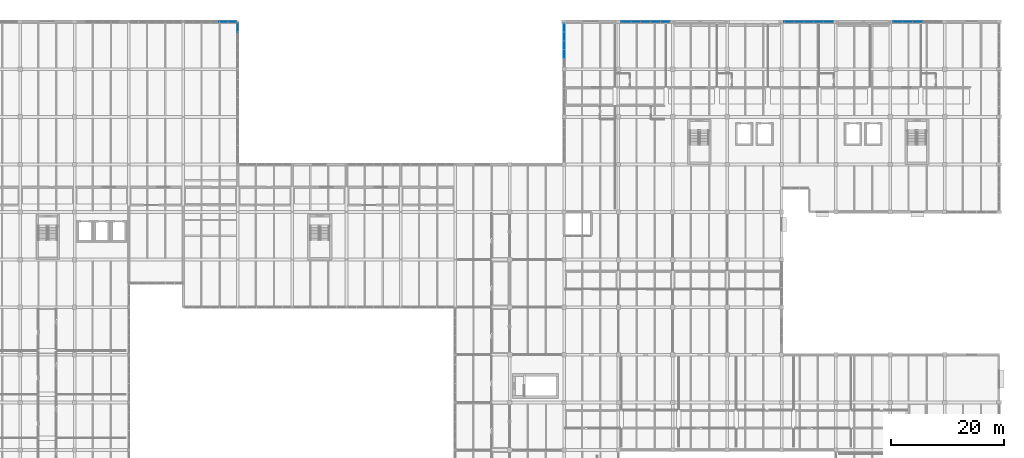
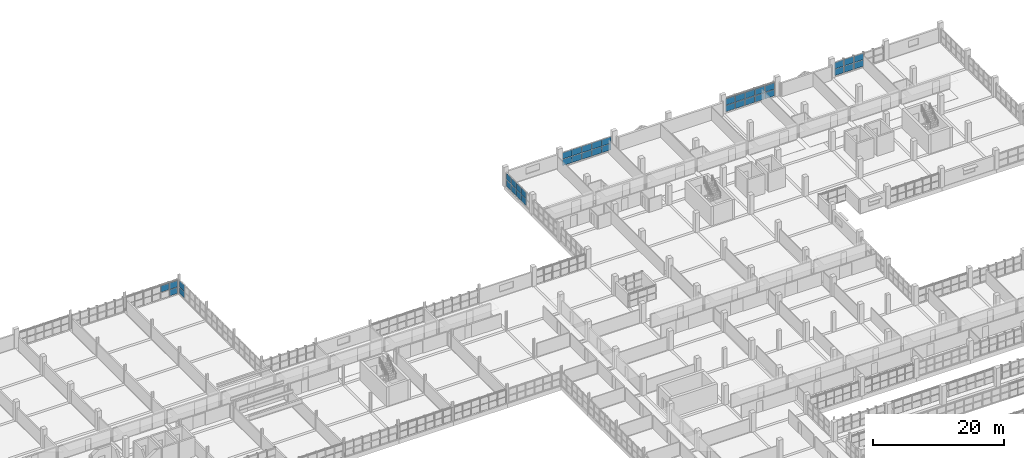
# One storey, part 109 of 147: 39 plates, 6 elements without a shape of their own.
"""IFC4 building model written with IfcOpenShell, lengths in metres."""

from ifc_helpers import new_model, si_unit, direction, frame, origin, origin_2d, place, context, subcontext, project, spatial, rectangle, extrude, material, layer, layer_set, type_object, element, aggregate, save


model = new_model("IFC4")

# Units and contexts
model_context = context("Model", 3, precision=1e-05, world=origin(), true_north=direction((0.0, 1.0)))
body_context = subcontext(model_context, "Body", "Model", "MODEL_VIEW")
ifc_project = project(units=[si_unit("LENGTHUNIT", "METRE"), si_unit("AREAUNIT", "SQUARE_METRE"), si_unit("VOLUMEUNIT", "CUBIC_METRE"), si_unit("PLANEANGLEUNIT", "RADIAN"), si_unit("MASSUNIT", "GRAM", prefix="KILO")], contexts=[model_context])

# Site, building, storey
site_placement = place(None, origin())
site = spatial("IfcSite", under=ifc_project, at=site_placement, CompositionType="ELEMENT")
building_placement = place(site_placement, origin())
building = spatial("IfcBuilding", under=site, at=building_placement, Name="Oolite Switchyard Hospital", CompositionType="ELEMENT")
storey_placement = place(building_placement, frame((0.0, 0.0, 9.89990234375)))
storey = spatial("IfcBuildingStorey", under=building, at=storey_placement, Name="L02", CompositionType="ELEMENT", Elevation=9.89990234375)

# Curtain wall, plates
ifc_material_1 = material(Name="Thermally broken aluminum frame with laminated impact glazing", Category="aluminium")
curtain_wall_type_1 = type_object("IfcCurtainWallType", Name="CW-UNIT-96X36", PredefinedType="USERDEFINED", material=ifc_material_1)
curtain_wall_1_placement = place(storey_placement, origin())
curtain_wall_1 = element("IfcCurtainWall", 1, at=curtain_wall_1_placement, inside=storey, type_object=curtain_wall_type_1, Name="L02 Unitised Curtain Wall 272", ObjectType="UNITISED", PredefinedType="USERDEFINED")
ifc_material_2 = material(Name="Insulated fluoropolymer-coated aluminum spandrel panel", Category="aluminium")
ifc_layer_1 = layer(ifc_material_2, 0.054931640625)
ifc_layer_set_1 = layer_set([ifc_layer_1], Name="CW-PNL-SPN55")
plate_type_1 = type_object("IfcPlateType", Name="CW-PNL-SPN55", PredefinedType="CURTAIN_PANEL", material=ifc_layer_set_1)
plate_1_placement = place(storey_placement, frame((74.303466796875, 134.39990234375, 1.31494140625), z_axis=(0.0, 0.0, 1.0), x_axis=(1.0, 0.0, 0.0)))
plate_1 = element("IfcPlate", 2, at=plate_1_placement, type_object=plate_type_1, Name="CW-03 panel 5.2", PredefinedType="CURTAIN_PANEL", context=body_context, shape_type="SweptSolid", body=[
    extrude(rectangle(XDim=1.465576171875, YDim=0.054931640625, at=origin_2d()), origin(), (0.0, 0.0, 1.0), 1.195068359375),
])
plate_2_placement = place(storey_placement, frame((75.82177734375, 134.39990234375, 0.06005859375), z_axis=(0.0, 0.0, 1.0), x_axis=(1.0, 0.0, 0.0)))
plate_2 = element("IfcPlate", 3, at=plate_2_placement, type_object=plate_type_1, Name="CW-03 panel 6.1", PredefinedType="CURTAIN_PANEL", context=body_context, shape_type="SweptSolid", body=[
    extrude(rectangle(XDim=1.4306640625, YDim=0.054931640625, at=origin_2d()), origin(), (0.0, 0.0, 1.0), 1.195068359375),
])
plate_3_placement = place(storey_placement, frame((75.82177734375, 134.39990234375, 1.31494140625), z_axis=(0.0, 0.0, 1.0), x_axis=(1.0, 0.0, 0.0)))
plate_3 = element("IfcPlate", 4, at=plate_3_placement, type_object=plate_type_1, Name="CW-03 panel 6.2", PredefinedType="CURTAIN_PANEL", context=body_context, shape_type="SweptSolid", body=[
    extrude(rectangle(XDim=1.4306640625, YDim=0.054931640625, at=origin_2d()), origin(), (0.0, 0.0, 1.0), 1.195068359375),
])
aggregate(curtain_wall_1, [plate_1, plate_2, plate_3])

curtain_wall_2_placement = place(storey_placement, origin())
curtain_wall_2 = element("IfcCurtainWall", 5, at=curtain_wall_2_placement, inside=storey, type_object=curtain_wall_type_1, Name="L02 Unitised Curtain Wall 274", ObjectType="UNITISED", PredefinedType="USERDEFINED")
plate_4_placement = place(storey_placement, frame((174.126953125, 134.39990234375, 0.06005859375), z_axis=(0.0, 0.0, 1.0), x_axis=(1.0, 0.0, 0.0)))
plate_4 = element("IfcPlate", 6, at=plate_4_placement, type_object=plate_type_1, Name="CW-03 panel 1.1", PredefinedType="CURTAIN_PANEL", context=body_context, shape_type="SweptSolid", body=[
    extrude(rectangle(XDim=1.654052734375, YDim=0.054931640625, at=origin_2d()), origin(), (0.0, 0.0, 1.0), 1.195068359375),
])
plate_5_placement = place(storey_placement, frame((174.126953125, 134.39990234375, 1.31494140625), z_axis=(0.0, 0.0, 1.0), x_axis=(1.0, 0.0, 0.0)))
plate_5 = element("IfcPlate", 7, at=plate_5_placement, type_object=plate_type_1, Name="CW-03 panel 1.2", PredefinedType="CURTAIN_PANEL", context=body_context, shape_type="SweptSolid", body=[
    extrude(rectangle(XDim=1.654052734375, YDim=0.054931640625, at=origin_2d()), origin(), (0.0, 0.0, 1.0), 1.195068359375),
])
plate_6_placement = place(storey_placement, frame((175.85595703125, 134.39990234375, 0.06005859375), z_axis=(0.0, 0.0, 1.0), x_axis=(1.0, 0.0, 0.0)))
plate_6 = element("IfcPlate", 8, at=plate_6_placement, type_object=plate_type_1, Name="CW-03 panel 2.1", PredefinedType="CURTAIN_PANEL", context=body_context, shape_type="SweptSolid", body=[
    extrude(rectangle(XDim=1.68408203125, YDim=0.054931640625, at=origin_2d()), origin(), (0.0, 0.0, 1.0), 1.195068359375),
])
plate_7_placement = place(storey_placement, frame((175.85595703125, 134.39990234375, 1.31494140625), z_axis=(0.0, 0.0, 1.0), x_axis=(1.0, 0.0, 0.0)))
plate_7 = element("IfcPlate", 9, at=plate_7_placement, type_object=plate_type_1, Name="CW-03 panel 2.2", PredefinedType="CURTAIN_PANEL", context=body_context, shape_type="SweptSolid", body=[
    extrude(rectangle(XDim=1.68408203125, YDim=0.054931640625, at=origin_2d()), origin(), (0.0, 0.0, 1.0), 1.195068359375),
])
plate_8_placement = place(storey_placement, frame((177.60009765625, 134.39990234375, 0.06005859375), z_axis=(0.0, 0.0, 1.0), x_axis=(1.0, 0.0, 0.0)))
plate_8 = element("IfcPlate", 10, at=plate_8_placement, type_object=plate_type_1, Name="CW-03 panel 3.1", PredefinedType="CURTAIN_PANEL", context=body_context, shape_type="SweptSolid", body=[
    extrude(rectangle(XDim=1.68408203125, YDim=0.054931640625, at=origin_2d()), origin(), (0.0, 0.0, 1.0), 1.195068359375),
])
plate_9_placement = place(storey_placement, frame((177.60009765625, 134.39990234375, 1.31494140625), z_axis=(0.0, 0.0, 1.0), x_axis=(1.0, 0.0, 0.0)))
plate_9 = element("IfcPlate", 11, at=plate_9_placement, type_object=plate_type_1, Name="CW-03 panel 3.2", PredefinedType="CURTAIN_PANEL", context=body_context, shape_type="SweptSolid", body=[
    extrude(rectangle(XDim=1.68408203125, YDim=0.054931640625, at=origin_2d()), origin(), (0.0, 0.0, 1.0), 1.195068359375),
])
plate_10_placement = place(storey_placement, frame((179.343994140625, 134.39990234375, 0.06005859375), z_axis=(0.0, 0.0, 1.0), x_axis=(1.0, 0.0, 0.0)))
plate_10 = element("IfcPlate", 12, at=plate_10_placement, type_object=plate_type_1, Name="CW-03 panel 4.1", PredefinedType="CURTAIN_PANEL", context=body_context, shape_type="SweptSolid", body=[
    extrude(rectangle(XDim=1.68408203125, YDim=0.054931640625, at=origin_2d()), origin(), (0.0, 0.0, 1.0), 1.195068359375),
])
plate_11_placement = place(storey_placement, frame((179.343994140625, 134.39990234375, 1.31494140625), z_axis=(0.0, 0.0, 1.0), x_axis=(1.0, 0.0, 0.0)))
plate_11 = element("IfcPlate", 13, at=plate_11_placement, type_object=plate_type_1, Name="CW-03 panel 4.2", PredefinedType="CURTAIN_PANEL", context=body_context, shape_type="SweptSolid", body=[
    extrude(rectangle(XDim=1.68408203125, YDim=0.054931640625, at=origin_2d()), origin(), (0.0, 0.0, 1.0), 1.195068359375),
])
plate_12_placement = place(storey_placement, frame((181.072998046875, 134.39990234375, 0.06005859375), z_axis=(0.0, 0.0, 1.0), x_axis=(1.0, 0.0, 0.0)))
plate_12 = element("IfcPlate", 14, at=plate_12_placement, type_object=plate_type_1, Name="CW-03 panel 5.1", PredefinedType="CURTAIN_PANEL", context=body_context, shape_type="SweptSolid", body=[
    extrude(rectangle(XDim=1.654052734375, YDim=0.054931640625, at=origin_2d()), origin(), (0.0, 0.0, 1.0), 1.195068359375),
])
plate_13_placement = place(storey_placement, frame((181.072998046875, 134.39990234375, 1.31494140625), z_axis=(0.0, 0.0, 1.0), x_axis=(1.0, 0.0, 0.0)))
plate_13 = element("IfcPlate", 15, at=plate_13_placement, type_object=plate_type_1, Name="CW-03 panel 5.2", PredefinedType="CURTAIN_PANEL", context=body_context, shape_type="SweptSolid", body=[
    extrude(rectangle(XDim=1.654052734375, YDim=0.054931640625, at=origin_2d()), origin(), (0.0, 0.0, 1.0), 1.195068359375),
])
aggregate(curtain_wall_2, [plate_4, plate_5, plate_6, plate_7, plate_8, plate_9, plate_10, plate_11, plate_12, plate_13])

curtain_wall_3_placement = place(storey_placement, origin())
curtain_wall_3 = element("IfcCurtainWall", 16, at=curtain_wall_3_placement, inside=storey, type_object=curtain_wall_type_1, Name="L02 Unitised Curtain Wall 273", ObjectType="UNITISED", PredefinedType="USERDEFINED")
ifc_material_3 = material(Name="Laminated hurricane-impact insulated glazing unit", Category="glass")
ifc_layer_2 = layer(ifc_material_3, 0.031982421875)
ifc_layer_set_2 = layer_set([ifc_layer_2], Name="CW-PNL-VIS32")
plate_type_2 = type_object("IfcPlateType", Name="CW-PNL-VIS32", PredefinedType="CURTAIN_PANEL", material=ifc_layer_set_2)
plate_14_placement = place(storey_placement, frame((145.330810546875, 134.39990234375, 0.0751953125), z_axis=(0.0, 0.0, 1.0), x_axis=(1.0, 0.0, 0.0)))
plate_14 = element("IfcPlate", 17, at=plate_14_placement, type_object=plate_type_2, Name="CW-03 panel 1.1", PredefinedType="CURTAIN_PANEL", context=body_context, shape_type="SweptSolid", body=[
    extrude(rectangle(XDim=1.631591796875, YDim=0.031982421875, at=origin_2d()), origin(), (0.0, 0.0, 1.0), 1.172607421875),
])
plate_15_placement = place(storey_placement, frame((145.330810546875, 134.39990234375, 1.32275390625), z_axis=(0.0, 0.0, 1.0), x_axis=(1.0, 0.0, 0.0)))
plate_15 = element("IfcPlate", 18, at=plate_15_placement, type_object=plate_type_2, Name="CW-03 panel 1.2", PredefinedType="CURTAIN_PANEL", context=body_context, shape_type="SweptSolid", body=[
    extrude(rectangle(XDim=1.631591796875, YDim=0.031982421875, at=origin_2d()), origin(), (0.0, 0.0, 1.0), 1.172607421875),
])
plate_16_placement = place(storey_placement, frame((147.055908203125, 134.39990234375, 0.0751953125), z_axis=(0.0, 0.0, 1.0), x_axis=(1.0, 0.0, 0.0)))
plate_16 = element("IfcPlate", 19, at=plate_16_placement, type_object=plate_type_2, Name="CW-03 panel 2.1", PredefinedType="CURTAIN_PANEL", context=body_context, shape_type="SweptSolid", body=[
    extrude(rectangle(XDim=1.6689453125, YDim=0.031982421875, at=origin_2d()), origin(), (0.0, 0.0, 1.0), 1.172607421875),
])
plate_17_placement = place(storey_placement, frame((147.055908203125, 134.39990234375, 1.32275390625), z_axis=(0.0, 0.0, 1.0), x_axis=(1.0, 0.0, 0.0)))
plate_17 = element("IfcPlate", 20, at=plate_17_placement, type_object=plate_type_2, Name="CW-03 panel 2.2", PredefinedType="CURTAIN_PANEL", context=body_context, shape_type="SweptSolid", body=[
    extrude(rectangle(XDim=1.6689453125, YDim=0.031982421875, at=origin_2d()), origin(), (0.0, 0.0, 1.0), 1.172607421875),
])
plate_18_placement = place(storey_placement, frame((148.800048828125, 134.39990234375, 0.0751953125), z_axis=(0.0, 0.0, 1.0), x_axis=(1.0, 0.0, 0.0)))
plate_18 = element("IfcPlate", 21, at=plate_18_placement, type_object=plate_type_2, Name="CW-03 panel 3.1", PredefinedType="CURTAIN_PANEL", context=body_context, shape_type="SweptSolid", body=[
    extrude(rectangle(XDim=1.6689453125, YDim=0.031982421875, at=origin_2d()), origin(), (0.0, 0.0, 1.0), 1.172607421875),
])
plate_19_placement = place(storey_placement, frame((148.800048828125, 134.39990234375, 1.32275390625), z_axis=(0.0, 0.0, 1.0), x_axis=(1.0, 0.0, 0.0)))
plate_19 = element("IfcPlate", 22, at=plate_19_placement, type_object=plate_type_2, Name="CW-03 panel 3.2", PredefinedType="CURTAIN_PANEL", context=body_context, shape_type="SweptSolid", body=[
    extrude(rectangle(XDim=1.6689453125, YDim=0.031982421875, at=origin_2d()), origin(), (0.0, 0.0, 1.0), 1.172607421875),
])
plate_20_placement = place(storey_placement, frame((150.5439453125, 134.39990234375, 0.0751953125), z_axis=(0.0, 0.0, 1.0), x_axis=(1.0, 0.0, 0.0)))
plate_20 = element("IfcPlate", 23, at=plate_20_placement, type_object=plate_type_2, Name="CW-03 panel 4.1", PredefinedType="CURTAIN_PANEL", context=body_context, shape_type="SweptSolid", body=[
    extrude(rectangle(XDim=1.6689453125, YDim=0.031982421875, at=origin_2d()), origin(), (0.0, 0.0, 1.0), 1.172607421875),
])
plate_21_placement = place(storey_placement, frame((150.5439453125, 134.39990234375, 1.32275390625), z_axis=(0.0, 0.0, 1.0), x_axis=(1.0, 0.0, 0.0)))
plate_21 = element("IfcPlate", 24, at=plate_21_placement, type_object=plate_type_2, Name="CW-03 panel 4.2", PredefinedType="CURTAIN_PANEL", context=body_context, shape_type="SweptSolid", body=[
    extrude(rectangle(XDim=1.6689453125, YDim=0.031982421875, at=origin_2d()), origin(), (0.0, 0.0, 1.0), 1.172607421875),
])
plate_22_placement = place(storey_placement, frame((152.269287109375, 134.39990234375, 0.0751953125), z_axis=(0.0, 0.0, 1.0), x_axis=(1.0, 0.0, 0.0)))
plate_22 = element("IfcPlate", 25, at=plate_22_placement, type_object=plate_type_2, Name="CW-03 panel 5.1", PredefinedType="CURTAIN_PANEL", context=body_context, shape_type="SweptSolid", body=[
    extrude(rectangle(XDim=1.631591796875, YDim=0.031982421875, at=origin_2d()), origin(), (0.0, 0.0, 1.0), 1.172607421875),
])
plate_23_placement = place(storey_placement, frame((152.269287109375, 134.39990234375, 1.32275390625), z_axis=(0.0, 0.0, 1.0), x_axis=(1.0, 0.0, 0.0)))
plate_23 = element("IfcPlate", 26, at=plate_23_placement, type_object=plate_type_2, Name="CW-03 panel 5.2", PredefinedType="CURTAIN_PANEL", context=body_context, shape_type="SweptSolid", body=[
    extrude(rectangle(XDim=1.631591796875, YDim=0.031982421875, at=origin_2d()), origin(), (0.0, 0.0, 1.0), 1.172607421875),
])
aggregate(curtain_wall_3, [plate_14, plate_15, plate_16, plate_17, plate_18, plate_19, plate_20, plate_21, plate_22, plate_23])

curtain_wall_4_placement = place(storey_placement, origin())
curtain_wall_4 = element("IfcCurtainWall", 27, at=curtain_wall_4_placement, inside=storey, type_object=curtain_wall_type_1, Name="L02 Unitised Curtain Wall 275", ObjectType="UNITISED", PredefinedType="USERDEFINED")
plate_24_placement = place(storey_placement, frame((193.32958984375, 134.39990234375, 0.0751953125), z_axis=(0.0, 0.0, 1.0), x_axis=(1.0, 0.0, 0.0)))
plate_24 = element("IfcPlate", 28, at=plate_24_placement, type_object=plate_type_2, Name="CW-03 panel 1.1", PredefinedType="CURTAIN_PANEL", context=body_context, shape_type="SweptSolid", body=[
    extrude(rectangle(XDim=1.638916015625, YDim=0.031982421875, at=origin_2d()), origin(), (0.0, 0.0, 1.0), 1.172607421875),
])
plate_25_placement = place(storey_placement, frame((193.32958984375, 134.39990234375, 1.32275390625), z_axis=(0.0, 0.0, 1.0), x_axis=(1.0, 0.0, 0.0)))
plate_25 = element("IfcPlate", 29, at=plate_25_placement, type_object=plate_type_2, Name="CW-03 panel 1.2", PredefinedType="CURTAIN_PANEL", context=body_context, shape_type="SweptSolid", body=[
    extrude(rectangle(XDim=1.638916015625, YDim=0.031982421875, at=origin_2d()), origin(), (0.0, 0.0, 1.0), 1.172607421875),
])
plate_26_placement = place(storey_placement, frame((195.055908203125, 134.39990234375, 0.0751953125), z_axis=(0.0, 0.0, 1.0), x_axis=(1.0, 0.0, 0.0)))
plate_26 = element("IfcPlate", 30, at=plate_26_placement, type_object=plate_type_2, Name="CW-03 panel 2.1", PredefinedType="CURTAIN_PANEL", context=body_context, shape_type="SweptSolid", body=[
    extrude(rectangle(XDim=1.674072265625, YDim=0.031982421875, at=origin_2d()), origin(), (0.0, 0.0, 1.0), 1.172607421875),
])
plate_27_placement = place(storey_placement, frame((195.055908203125, 134.39990234375, 1.32275390625), z_axis=(0.0, 0.0, 1.0), x_axis=(1.0, 0.0, 0.0)))
plate_27 = element("IfcPlate", 31, at=plate_27_placement, type_object=plate_type_2, Name="CW-03 panel 2.2", PredefinedType="CURTAIN_PANEL", context=body_context, shape_type="SweptSolid", body=[
    extrude(rectangle(XDim=1.674072265625, YDim=0.031982421875, at=origin_2d()), origin(), (0.0, 0.0, 1.0), 1.172607421875),
])
plate_28_placement = place(storey_placement, frame((196.800048828125, 134.39990234375, 0.0751953125), z_axis=(0.0, 0.0, 1.0), x_axis=(1.0, 0.0, 0.0)))
plate_28 = element("IfcPlate", 32, at=plate_28_placement, type_object=plate_type_2, Name="CW-03 panel 3.1", PredefinedType="CURTAIN_PANEL", context=body_context, shape_type="SweptSolid", body=[
    extrude(rectangle(XDim=1.674072265625, YDim=0.031982421875, at=origin_2d()), origin(), (0.0, 0.0, 1.0), 1.172607421875),
])
plate_29_placement = place(storey_placement, frame((196.800048828125, 134.39990234375, 1.32275390625), z_axis=(0.0, 0.0, 1.0), x_axis=(1.0, 0.0, 0.0)))
plate_29 = element("IfcPlate", 33, at=plate_29_placement, type_object=plate_type_2, Name="CW-03 panel 3.2", PredefinedType="CURTAIN_PANEL", context=body_context, shape_type="SweptSolid", body=[
    extrude(rectangle(XDim=1.674072265625, YDim=0.031982421875, at=origin_2d()), origin(), (0.0, 0.0, 1.0), 1.172607421875),
])
aggregate(curtain_wall_4, [plate_24, plate_25, plate_26, plate_27, plate_28, plate_29])

curtain_wall_type_2 = type_object("IfcCurtainWallType", Name="CW-UNIT-84X36", PredefinedType="USERDEFINED", material=ifc_material_1)
curtain_wall_5_placement = place(storey_placement, origin())
curtain_wall_5 = element("IfcCurtainWall", 34, at=curtain_wall_5_placement, inside=storey, type_object=curtain_wall_type_2, Name="L02 Unitised Curtain Wall 288", ObjectType="UNITISED", PredefinedType="USERDEFINED")
plate_30_placement = place(storey_placement, frame((76.800048828125, 133.411376953125, 0.06005859375), z_axis=(0.0, 0.0, 1.0), x_axis=(0.0, -1.0, 0.0)))
plate_30 = element("IfcPlate", 35, at=plate_30_placement, type_object=plate_type_2, Name="CW-08 panel 1.1", PredefinedType="CURTAIN_PANEL", context=body_context, shape_type="SweptSolid", body=[
    extrude(rectangle(XDim=1.507080078125, YDim=0.031982421875, at=origin_2d()), origin(), (0.0, 0.0, 1.0), 1.195068359375),
])
plate_31_placement = place(storey_placement, frame((76.800048828125, 133.411376953125, 1.31494140625), z_axis=(0.0, 0.0, 1.0), x_axis=(0.0, -1.0, 0.0)))
plate_31 = element("IfcPlate", 36, at=plate_31_placement, type_object=plate_type_2, Name="CW-08 panel 1.2", PredefinedType="CURTAIN_PANEL", context=body_context, shape_type="SweptSolid", body=[
    extrude(rectangle(XDim=1.507080078125, YDim=0.031982421875, at=origin_2d()), origin(), (0.0, 0.0, 1.0), 1.195068359375),
])
aggregate(curtain_wall_5, [plate_30, plate_31])

curtain_wall_6_placement = place(storey_placement, origin())
curtain_wall_6 = element("IfcCurtainWall", 37, at=curtain_wall_6_placement, inside=storey, type_object=curtain_wall_type_2, Name="L02 Unitised Curtain Wall 300", ObjectType="UNITISED", PredefinedType="USERDEFINED")
ifc_layer_3 = layer(ifc_material_3, 0.035888671875)
ifc_layer_set_3 = layer_set([ifc_layer_3], Name="CW-PNL-VIS36")
plate_type_3 = type_object("IfcPlateType", Name="CW-PNL-VIS36", PredefinedType="CURTAIN_PANEL", material=ifc_layer_set_3)
plate_32_placement = place(storey_placement, frame((134.39990234375, 128.698486328125, 0.06005859375), z_axis=(0.0, 0.0, 1.0), x_axis=(0.0, 1.0, 0.0)))
plate_32 = element("IfcPlate", 38, at=plate_32_placement, type_object=plate_type_3, Name="CW-08 panel 2.1", PredefinedType="CURTAIN_PANEL", context=body_context, shape_type="SweptSolid", body=[
    extrude(rectangle(XDim=1.464111328125, YDim=0.035888671875, at=origin_2d()), origin(), (0.0, 0.0, 1.0), 1.195068359375),
])
plate_33_placement = place(storey_placement, frame((134.39990234375, 128.698486328125, 1.31494140625), z_axis=(0.0, 0.0, 1.0), x_axis=(0.0, 1.0, 0.0)))
plate_33 = element("IfcPlate", 39, at=plate_33_placement, type_object=plate_type_3, Name="CW-08 panel 2.2", PredefinedType="CURTAIN_PANEL", context=body_context, shape_type="SweptSolid", body=[
    extrude(rectangle(XDim=1.464111328125, YDim=0.035888671875, at=origin_2d()), origin(), (0.0, 0.0, 1.0), 1.195068359375),
])
plate_34_placement = place(storey_placement, frame((134.39990234375, 130.237548828125, 0.06005859375), z_axis=(0.0, 0.0, 1.0), x_axis=(0.0, 1.0, 0.0)))
plate_34 = element("IfcPlate", 40, at=plate_34_placement, type_object=plate_type_3, Name="CW-08 panel 3.1", PredefinedType="CURTAIN_PANEL", context=body_context, shape_type="SweptSolid", body=[
    extrude(rectangle(XDim=1.464111328125, YDim=0.035888671875, at=origin_2d()), origin(), (0.0, 0.0, 1.0), 1.195068359375),
])
plate_35_placement = place(storey_placement, frame((134.39990234375, 130.237548828125, 1.31494140625), z_axis=(0.0, 0.0, 1.0), x_axis=(0.0, 1.0, 0.0)))
plate_35 = element("IfcPlate", 41, at=plate_35_placement, type_object=plate_type_3, Name="CW-08 panel 3.2", PredefinedType="CURTAIN_PANEL", context=body_context, shape_type="SweptSolid", body=[
    extrude(rectangle(XDim=1.464111328125, YDim=0.035888671875, at=origin_2d()), origin(), (0.0, 0.0, 1.0), 1.195068359375),
])
plate_36_placement = place(storey_placement, frame((134.39990234375, 131.776611328125, 0.06005859375), z_axis=(0.0, 0.0, 1.0), x_axis=(0.0, 1.0, 0.0)))
plate_36 = element("IfcPlate", 42, at=plate_36_placement, type_object=plate_type_3, Name="CW-08 panel 4.1", PredefinedType="CURTAIN_PANEL", context=body_context, shape_type="SweptSolid", body=[
    extrude(rectangle(XDim=1.464111328125, YDim=0.035888671875, at=origin_2d()), origin(), (0.0, 0.0, 1.0), 1.195068359375),
])
plate_37_placement = place(storey_placement, frame((134.39990234375, 131.776611328125, 1.31494140625), z_axis=(0.0, 0.0, 1.0), x_axis=(0.0, 1.0, 0.0)))
plate_37 = element("IfcPlate", 43, at=plate_37_placement, type_object=plate_type_3, Name="CW-08 panel 4.2", PredefinedType="CURTAIN_PANEL", context=body_context, shape_type="SweptSolid", body=[
    extrude(rectangle(XDim=1.464111328125, YDim=0.035888671875, at=origin_2d()), origin(), (0.0, 0.0, 1.0), 1.195068359375),
])
plate_38_placement = place(storey_placement, frame((134.39990234375, 133.296630859375, 0.06005859375), z_axis=(0.0, 0.0, 1.0), x_axis=(0.0, 1.0, 0.0)))
plate_38 = element("IfcPlate", 44, at=plate_38_placement, type_object=plate_type_3, Name="CW-08 panel 5.1", PredefinedType="CURTAIN_PANEL", context=body_context, shape_type="SweptSolid", body=[
    extrude(rectangle(XDim=1.426513671875, YDim=0.035888671875, at=origin_2d()), origin(), (0.0, 0.0, 1.0), 1.195068359375),
])
plate_39_placement = place(storey_placement, frame((134.39990234375, 133.296630859375, 1.31494140625), z_axis=(0.0, 0.0, 1.0), x_axis=(0.0, 1.0, 0.0)))
plate_39 = element("IfcPlate", 45, at=plate_39_placement, type_object=plate_type_3, Name="CW-08 panel 5.2", PredefinedType="CURTAIN_PANEL", context=body_context, shape_type="SweptSolid", body=[
    extrude(rectangle(XDim=1.426513671875, YDim=0.035888671875, at=origin_2d()), origin(), (0.0, 0.0, 1.0), 1.195068359375),
])
aggregate(curtain_wall_6, [plate_32, plate_33, plate_34, plate_35, plate_36, plate_37, plate_38, plate_39])

save(model, "model.ifc")
